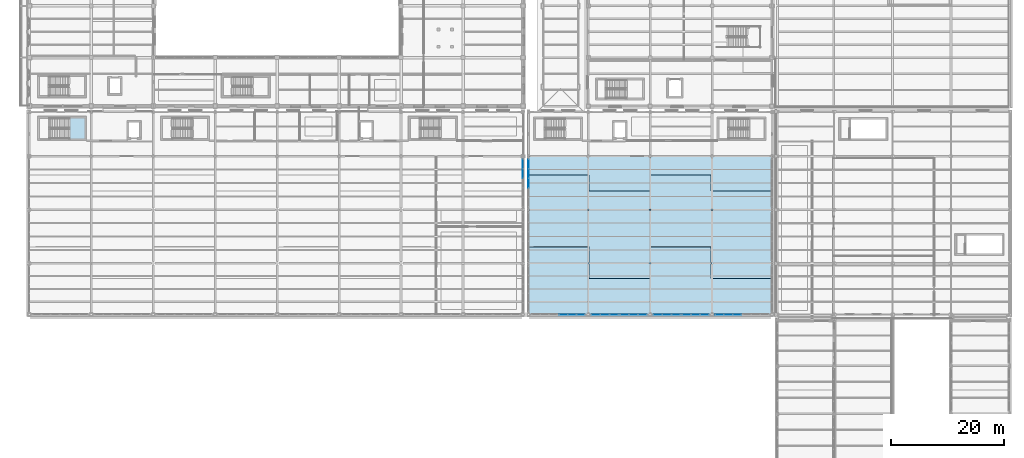
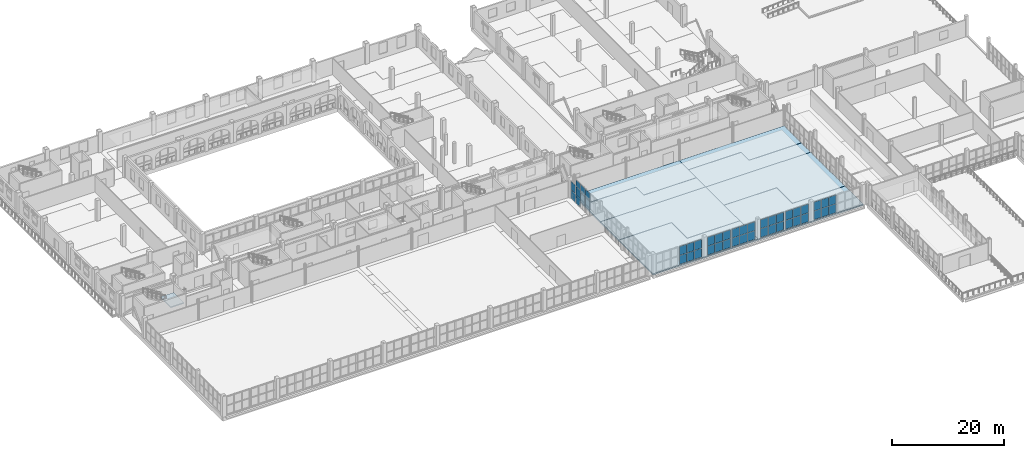
# One storey, part 104 of 156: 46 plates, 9 slabs, 9 elements without a shape of their own.
"""IFC4 building model written with IfcOpenShell, lengths in metres."""

from ifc_helpers import new_model, si_unit, direction, frame, origin, origin_2d, place, context, subcontext, project, spatial, polyline, rectangle, outline, extrude, material, layer, layer_set, type_object, element, aggregate, save


model = new_model("IFC4")

# Units and contexts
model_context = context("Model", 3, precision=1e-05, world=origin(), true_north=direction((0.0, 1.0)))
body_context = subcontext(model_context, "Body", "Model", "MODEL_VIEW")
ifc_project = project(units=[si_unit("LENGTHUNIT", "METRE"), si_unit("AREAUNIT", "SQUARE_METRE"), si_unit("VOLUMEUNIT", "CUBIC_METRE"), si_unit("PLANEANGLEUNIT", "RADIAN"), si_unit("MASSUNIT", "GRAM", prefix="KILO")], contexts=[model_context])

# Site, building, storey
site_placement = place(None, origin())
site = spatial("IfcSite", under=ifc_project, at=site_placement, CompositionType="ELEMENT")
building_placement = place(site_placement, origin())
building = spatial("IfcBuilding", under=site, at=building_placement, Name="Caurita Quay Ferry Terminal", CompositionType="ELEMENT")
storey_placement = place(building_placement, frame((0.0, 0.0, 5.39990234375)))
storey = spatial("IfcBuildingStorey", under=building, at=storey_placement, Name="L01", CompositionType="ELEMENT", Elevation=5.39990234375)

# Curtain wall, plates
ifc_material_1 = material(Name="Laminated solar-control insulated glass", Category="glass")
curtain_wall_type_1 = type_object("IfcCurtainWallType", Name="CW-SYS-09", PredefinedType="NOTDEFINED", material=ifc_material_1)
curtain_wall_1_placement = place(storey_placement, origin())
curtain_wall_1 = element("IfcCurtainWall", 1, at=curtain_wall_1_placement, inside=storey, type_object=curtain_wall_type_1, Name="V2 Waterside Concourse Curtain Wall 066", PredefinedType="NOTDEFINED")
ifc_layer_1 = layer(ifc_material_1, 0.028076171875, Name="Laminated low-e hurricane-rated glazing unit 28 mm")
ifc_layer_set_1 = layer_set([ifc_layer_1], Name="Laminated solar-control insulated glass")
plate_type = type_object("IfcPlateType", Name="CW-PNL-28", PredefinedType="CURTAIN_PANEL", material=ifc_layer_set_1)
plate_1_placement = place(storey_placement, frame((94.798583984375, 34.60009765625, 0.06298828125), z_axis=(0.0, 0.0, 1.0), x_axis=(1.0, 0.0, 0.0)))
plate_1 = element("IfcPlate", 2, at=plate_1_placement, type_object=plate_type, Name="CW-SEA-066 Glazing Panel 1", PredefinedType="CURTAIN_PANEL", context=body_context, shape_type="SweptSolid", body=[
    extrude(rectangle(XDim=1.451416015625, YDim=0.028076171875, at=origin_2d()), origin(), (0.0, 0.0, 1.0), 1.8916015625),
])
plate_2_placement = place(storey_placement, frame((94.798583984375, 34.60009765625, 2.015625), z_axis=(0.0, 0.0, 1.0), x_axis=(1.0, 0.0, 0.0)))
plate_2 = element("IfcPlate", 3, at=plate_2_placement, type_object=plate_type, Name="CW-SEA-066 Glazing Panel 2", PredefinedType="CURTAIN_PANEL", context=body_context, shape_type="SweptSolid", body=[
    extrude(rectangle(XDim=1.451416015625, YDim=0.028076171875, at=origin_2d()), origin(), (0.0, 0.0, 1.0), 1.8916015625),
])
plate_3_placement = place(storey_placement, frame((96.340087890625, 34.60009765625, 0.06298828125), z_axis=(0.0, 0.0, 1.0), x_axis=(1.0, 0.0, 0.0)))
plate_3 = element("IfcPlate", 4, at=plate_3_placement, type_object=plate_type, Name="CW-SEA-066 Glazing Panel 3", PredefinedType="CURTAIN_PANEL", context=body_context, shape_type="SweptSolid", body=[
    extrude(rectangle(XDim=1.489013671875, YDim=0.028076171875, at=origin_2d()), origin(), (0.0, 0.0, 1.0), 1.8916015625),
])
plate_4_placement = place(storey_placement, frame((96.340087890625, 34.60009765625, 2.015625), z_axis=(0.0, 0.0, 1.0), x_axis=(1.0, 0.0, 0.0)))
plate_4 = element("IfcPlate", 5, at=plate_4_placement, type_object=plate_type, Name="CW-SEA-066 Glazing Panel 4", PredefinedType="CURTAIN_PANEL", context=body_context, shape_type="SweptSolid", body=[
    extrude(rectangle(XDim=1.489013671875, YDim=0.028076171875, at=origin_2d()), origin(), (0.0, 0.0, 1.0), 1.8916015625),
])
plate_5_placement = place(storey_placement, frame((97.88134765625, 34.60009765625, 0.06298828125), z_axis=(0.0, 0.0, 1.0), x_axis=(1.0, 0.0, 0.0)))
plate_5 = element("IfcPlate", 6, at=plate_5_placement, type_object=plate_type, Name="CW-SEA-066 Glazing Panel 5", PredefinedType="CURTAIN_PANEL", context=body_context, shape_type="SweptSolid", body=[
    extrude(rectangle(XDim=1.451416015625, YDim=0.028076171875, at=origin_2d()), origin(), (0.0, 0.0, 1.0), 1.8916015625),
])
plate_6_placement = place(storey_placement, frame((97.88134765625, 34.60009765625, 2.015625), z_axis=(0.0, 0.0, 1.0), x_axis=(1.0, 0.0, 0.0)))
plate_6 = element("IfcPlate", 7, at=plate_6_placement, type_object=plate_type, Name="CW-SEA-066 Glazing Panel 6", PredefinedType="CURTAIN_PANEL", context=body_context, shape_type="SweptSolid", body=[
    extrude(rectangle(XDim=1.451416015625, YDim=0.028076171875, at=origin_2d()), origin(), (0.0, 0.0, 1.0), 1.8916015625),
])
aggregate(curtain_wall_1, [plate_1, plate_2, plate_3, plate_4, plate_5, plate_6])

curtain_wall_type_2 = type_object("IfcCurtainWallType", Name="CW-SYS-08", PredefinedType="NOTDEFINED", material=ifc_material_1)
curtain_wall_2_placement = place(storey_placement, origin())
curtain_wall_2 = element("IfcCurtainWall", 8, at=curtain_wall_2_placement, inside=storey, type_object=curtain_wall_type_2, Name="V2 Waterside Concourse Curtain Wall 067", PredefinedType="NOTDEFINED")
plate_7_placement = place(storey_placement, frame((100.552001953125, 34.60009765625, 0.06298828125), z_axis=(0.0, 0.0, 1.0), x_axis=(1.0, 0.0, 0.0)))
plate_7 = element("IfcPlate", 9, at=plate_7_placement, type_object=plate_type, Name="CW-SEA-067 Glazing Panel 1", PredefinedType="CURTAIN_PANEL", context=body_context, shape_type="SweptSolid", body=[
    extrude(rectangle(XDim=1.518310546875, YDim=0.028076171875, at=origin_2d()), origin(), (0.0, 0.0, 1.0), 1.8916015625),
])
plate_8_placement = place(storey_placement, frame((100.552001953125, 34.60009765625, 2.015625), z_axis=(0.0, 0.0, 1.0), x_axis=(1.0, 0.0, 0.0)))
plate_8 = element("IfcPlate", 10, at=plate_8_placement, type_object=plate_type, Name="CW-SEA-067 Glazing Panel 2", PredefinedType="CURTAIN_PANEL", context=body_context, shape_type="SweptSolid", body=[
    extrude(rectangle(XDim=1.518310546875, YDim=0.028076171875, at=origin_2d()), origin(), (0.0, 0.0, 1.0), 1.8916015625),
])
plate_9_placement = place(storey_placement, frame((102.159912109375, 34.60009765625, 0.06298828125), z_axis=(0.0, 0.0, 1.0), x_axis=(1.0, 0.0, 0.0)))
plate_9 = element("IfcPlate", 11, at=plate_9_placement, type_object=plate_type, Name="CW-SEA-067 Glazing Panel 3", PredefinedType="CURTAIN_PANEL", context=body_context, shape_type="SweptSolid", body=[
    extrude(rectangle(XDim=1.5556640625, YDim=0.028076171875, at=origin_2d()), origin(), (0.0, 0.0, 1.0), 1.8916015625),
])
plate_10_placement = place(storey_placement, frame((102.159912109375, 34.60009765625, 2.015625), z_axis=(0.0, 0.0, 1.0), x_axis=(1.0, 0.0, 0.0)))
plate_10 = element("IfcPlate", 12, at=plate_10_placement, type_object=plate_type, Name="CW-SEA-067 Glazing Panel 4", PredefinedType="CURTAIN_PANEL", context=body_context, shape_type="SweptSolid", body=[
    extrude(rectangle(XDim=1.5556640625, YDim=0.028076171875, at=origin_2d()), origin(), (0.0, 0.0, 1.0), 1.8916015625),
])
plate_11_placement = place(storey_placement, frame((103.767822265625, 34.60009765625, 0.06298828125), z_axis=(0.0, 0.0, 1.0), x_axis=(1.0, 0.0, 0.0)))
plate_11 = element("IfcPlate", 13, at=plate_11_placement, type_object=plate_type, Name="CW-SEA-067 Glazing Panel 5", PredefinedType="CURTAIN_PANEL", context=body_context, shape_type="SweptSolid", body=[
    extrude(rectangle(XDim=1.518310546875, YDim=0.028076171875, at=origin_2d()), origin(), (0.0, 0.0, 1.0), 1.8916015625),
])
plate_12_placement = place(storey_placement, frame((103.767822265625, 34.60009765625, 2.015625), z_axis=(0.0, 0.0, 1.0), x_axis=(1.0, 0.0, 0.0)))
plate_12 = element("IfcPlate", 14, at=plate_12_placement, type_object=plate_type, Name="CW-SEA-067 Glazing Panel 6", PredefinedType="CURTAIN_PANEL", context=body_context, shape_type="SweptSolid", body=[
    extrude(rectangle(XDim=1.518310546875, YDim=0.028076171875, at=origin_2d()), origin(), (0.0, 0.0, 1.0), 1.8916015625),
])
aggregate(curtain_wall_2, [plate_7, plate_8, plate_9, plate_10, plate_11, plate_12])

curtain_wall_3_placement = place(storey_placement, origin())
curtain_wall_3 = element("IfcCurtainWall", 15, at=curtain_wall_3_placement, inside=storey, type_object=curtain_wall_type_2, Name="V2 Waterside Concourse Curtain Wall 068", PredefinedType="NOTDEFINED")
plate_13_placement = place(storey_placement, frame((105.632080078125, 34.60009765625, 0.06298828125), z_axis=(0.0, 0.0, 1.0), x_axis=(1.0, 0.0, 0.0)))
plate_13 = element("IfcPlate", 16, at=plate_13_placement, type_object=plate_type, Name="CW-SEA-068 Glazing Panel 1", PredefinedType="CURTAIN_PANEL", context=body_context, shape_type="SweptSolid", body=[
    extrude(rectangle(XDim=1.518310546875, YDim=0.028076171875, at=origin_2d()), origin(), (0.0, 0.0, 1.0), 1.8916015625),
])
plate_14_placement = place(storey_placement, frame((105.632080078125, 34.60009765625, 2.015625), z_axis=(0.0, 0.0, 1.0), x_axis=(1.0, 0.0, 0.0)))
plate_14 = element("IfcPlate", 17, at=plate_14_placement, type_object=plate_type, Name="CW-SEA-068 Glazing Panel 2", PredefinedType="CURTAIN_PANEL", context=body_context, shape_type="SweptSolid", body=[
    extrude(rectangle(XDim=1.518310546875, YDim=0.028076171875, at=origin_2d()), origin(), (0.0, 0.0, 1.0), 1.8916015625),
])
plate_15_placement = place(storey_placement, frame((107.239990234375, 34.60009765625, 0.06298828125), z_axis=(0.0, 0.0, 1.0), x_axis=(1.0, 0.0, 0.0)))
plate_15 = element("IfcPlate", 18, at=plate_15_placement, type_object=plate_type, Name="CW-SEA-068 Glazing Panel 3", PredefinedType="CURTAIN_PANEL", context=body_context, shape_type="SweptSolid", body=[
    extrude(rectangle(XDim=1.5556640625, YDim=0.028076171875, at=origin_2d()), origin(), (0.0, 0.0, 1.0), 1.8916015625),
])
plate_16_placement = place(storey_placement, frame((107.239990234375, 34.60009765625, 2.015625), z_axis=(0.0, 0.0, 1.0), x_axis=(1.0, 0.0, 0.0)))
plate_16 = element("IfcPlate", 19, at=plate_16_placement, type_object=plate_type, Name="CW-SEA-068 Glazing Panel 4", PredefinedType="CURTAIN_PANEL", context=body_context, shape_type="SweptSolid", body=[
    extrude(rectangle(XDim=1.5556640625, YDim=0.028076171875, at=origin_2d()), origin(), (0.0, 0.0, 1.0), 1.8916015625),
])
plate_17_placement = place(storey_placement, frame((108.847900390625, 34.60009765625, 0.06298828125), z_axis=(0.0, 0.0, 1.0), x_axis=(1.0, 0.0, 0.0)))
plate_17 = element("IfcPlate", 20, at=plate_17_placement, type_object=plate_type, Name="CW-SEA-068 Glazing Panel 5", PredefinedType="CURTAIN_PANEL", context=body_context, shape_type="SweptSolid", body=[
    extrude(rectangle(XDim=1.518310546875, YDim=0.028076171875, at=origin_2d()), origin(), (0.0, 0.0, 1.0), 1.8916015625),
])
plate_18_placement = place(storey_placement, frame((108.847900390625, 34.60009765625, 2.015625), z_axis=(0.0, 0.0, 1.0), x_axis=(1.0, 0.0, 0.0)))
plate_18 = element("IfcPlate", 21, at=plate_18_placement, type_object=plate_type, Name="CW-SEA-068 Glazing Panel 6", PredefinedType="CURTAIN_PANEL", context=body_context, shape_type="SweptSolid", body=[
    extrude(rectangle(XDim=1.518310546875, YDim=0.028076171875, at=origin_2d()), origin(), (0.0, 0.0, 1.0), 1.8916015625),
])
aggregate(curtain_wall_3, [plate_13, plate_14, plate_15, plate_16, plate_17, plate_18])

curtain_wall_4_placement = place(storey_placement, origin())
curtain_wall_4 = element("IfcCurtainWall", 22, at=curtain_wall_4_placement, inside=storey, type_object=curtain_wall_type_2, Name="V2 Waterside Concourse Curtain Wall 069", PredefinedType="NOTDEFINED")
plate_19_placement = place(storey_placement, frame((111.552001953125, 34.60009765625, 0.06298828125), z_axis=(0.0, 0.0, 1.0), x_axis=(1.0, 0.0, 0.0)))
plate_19 = element("IfcPlate", 23, at=plate_19_placement, type_object=plate_type, Name="CW-SEA-069 Glazing Panel 1", PredefinedType="CURTAIN_PANEL", context=body_context, shape_type="SweptSolid", body=[
    extrude(rectangle(XDim=1.518310546875, YDim=0.028076171875, at=origin_2d()), origin(), (0.0, 0.0, 1.0), 1.8916015625),
])
plate_20_placement = place(storey_placement, frame((111.552001953125, 34.60009765625, 2.015625), z_axis=(0.0, 0.0, 1.0), x_axis=(1.0, 0.0, 0.0)))
plate_20 = element("IfcPlate", 24, at=plate_20_placement, type_object=plate_type, Name="CW-SEA-069 Glazing Panel 2", PredefinedType="CURTAIN_PANEL", context=body_context, shape_type="SweptSolid", body=[
    extrude(rectangle(XDim=1.518310546875, YDim=0.028076171875, at=origin_2d()), origin(), (0.0, 0.0, 1.0), 1.8916015625),
])
plate_21_placement = place(storey_placement, frame((113.159912109375, 34.60009765625, 0.06298828125), z_axis=(0.0, 0.0, 1.0), x_axis=(1.0, 0.0, 0.0)))
plate_21 = element("IfcPlate", 25, at=plate_21_placement, type_object=plate_type, Name="CW-SEA-069 Glazing Panel 3", PredefinedType="CURTAIN_PANEL", context=body_context, shape_type="SweptSolid", body=[
    extrude(rectangle(XDim=1.5556640625, YDim=0.028076171875, at=origin_2d()), origin(), (0.0, 0.0, 1.0), 1.8916015625),
])
plate_22_placement = place(storey_placement, frame((113.159912109375, 34.60009765625, 2.015625), z_axis=(0.0, 0.0, 1.0), x_axis=(1.0, 0.0, 0.0)))
plate_22 = element("IfcPlate", 26, at=plate_22_placement, type_object=plate_type, Name="CW-SEA-069 Glazing Panel 4", PredefinedType="CURTAIN_PANEL", context=body_context, shape_type="SweptSolid", body=[
    extrude(rectangle(XDim=1.5556640625, YDim=0.028076171875, at=origin_2d()), origin(), (0.0, 0.0, 1.0), 1.8916015625),
])
plate_23_placement = place(storey_placement, frame((114.767822265625, 34.60009765625, 0.06298828125), z_axis=(0.0, 0.0, 1.0), x_axis=(1.0, 0.0, 0.0)))
plate_23 = element("IfcPlate", 27, at=plate_23_placement, type_object=plate_type, Name="CW-SEA-069 Glazing Panel 5", PredefinedType="CURTAIN_PANEL", context=body_context, shape_type="SweptSolid", body=[
    extrude(rectangle(XDim=1.518310546875, YDim=0.028076171875, at=origin_2d()), origin(), (0.0, 0.0, 1.0), 1.8916015625),
])
plate_24_placement = place(storey_placement, frame((114.767822265625, 34.60009765625, 2.015625), z_axis=(0.0, 0.0, 1.0), x_axis=(1.0, 0.0, 0.0)))
plate_24 = element("IfcPlate", 28, at=plate_24_placement, type_object=plate_type, Name="CW-SEA-069 Glazing Panel 6", PredefinedType="CURTAIN_PANEL", context=body_context, shape_type="SweptSolid", body=[
    extrude(rectangle(XDim=1.518310546875, YDim=0.028076171875, at=origin_2d()), origin(), (0.0, 0.0, 1.0), 1.8916015625),
])
aggregate(curtain_wall_4, [plate_19, plate_20, plate_21, plate_22, plate_23, plate_24])

curtain_wall_5_placement = place(storey_placement, origin())
curtain_wall_5 = element("IfcCurtainWall", 29, at=curtain_wall_5_placement, inside=storey, type_object=curtain_wall_type_2, Name="V2 Waterside Concourse Curtain Wall 070", PredefinedType="NOTDEFINED")
plate_25_placement = place(storey_placement, frame((116.632080078125, 34.60009765625, 0.06298828125), z_axis=(0.0, 0.0, 1.0), x_axis=(1.0, 0.0, 0.0)))
plate_25 = element("IfcPlate", 30, at=plate_25_placement, type_object=plate_type, Name="CW-SEA-070 Glazing Panel 1", PredefinedType="CURTAIN_PANEL", context=body_context, shape_type="SweptSolid", body=[
    extrude(rectangle(XDim=1.518310546875, YDim=0.028076171875, at=origin_2d()), origin(), (0.0, 0.0, 1.0), 1.8916015625),
])
plate_26_placement = place(storey_placement, frame((116.632080078125, 34.60009765625, 2.015625), z_axis=(0.0, 0.0, 1.0), x_axis=(1.0, 0.0, 0.0)))
plate_26 = element("IfcPlate", 31, at=plate_26_placement, type_object=plate_type, Name="CW-SEA-070 Glazing Panel 2", PredefinedType="CURTAIN_PANEL", context=body_context, shape_type="SweptSolid", body=[
    extrude(rectangle(XDim=1.518310546875, YDim=0.028076171875, at=origin_2d()), origin(), (0.0, 0.0, 1.0), 1.8916015625),
])
plate_27_placement = place(storey_placement, frame((118.239990234375, 34.60009765625, 0.06298828125), z_axis=(0.0, 0.0, 1.0), x_axis=(1.0, 0.0, 0.0)))
plate_27 = element("IfcPlate", 32, at=plate_27_placement, type_object=plate_type, Name="CW-SEA-070 Glazing Panel 3", PredefinedType="CURTAIN_PANEL", context=body_context, shape_type="SweptSolid", body=[
    extrude(rectangle(XDim=1.5556640625, YDim=0.028076171875, at=origin_2d()), origin(), (0.0, 0.0, 1.0), 1.8916015625),
])
plate_28_placement = place(storey_placement, frame((118.239990234375, 34.60009765625, 2.015625), z_axis=(0.0, 0.0, 1.0), x_axis=(1.0, 0.0, 0.0)))
plate_28 = element("IfcPlate", 33, at=plate_28_placement, type_object=plate_type, Name="CW-SEA-070 Glazing Panel 4", PredefinedType="CURTAIN_PANEL", context=body_context, shape_type="SweptSolid", body=[
    extrude(rectangle(XDim=1.5556640625, YDim=0.028076171875, at=origin_2d()), origin(), (0.0, 0.0, 1.0), 1.8916015625),
])
plate_29_placement = place(storey_placement, frame((119.847900390625, 34.60009765625, 0.06298828125), z_axis=(0.0, 0.0, 1.0), x_axis=(1.0, 0.0, 0.0)))
plate_29 = element("IfcPlate", 34, at=plate_29_placement, type_object=plate_type, Name="CW-SEA-070 Glazing Panel 5", PredefinedType="CURTAIN_PANEL", context=body_context, shape_type="SweptSolid", body=[
    extrude(rectangle(XDim=1.518310546875, YDim=0.028076171875, at=origin_2d()), origin(), (0.0, 0.0, 1.0), 1.8916015625),
])
plate_30_placement = place(storey_placement, frame((119.847900390625, 34.60009765625, 2.015625), z_axis=(0.0, 0.0, 1.0), x_axis=(1.0, 0.0, 0.0)))
plate_30 = element("IfcPlate", 35, at=plate_30_placement, type_object=plate_type, Name="CW-SEA-070 Glazing Panel 6", PredefinedType="CURTAIN_PANEL", context=body_context, shape_type="SweptSolid", body=[
    extrude(rectangle(XDim=1.518310546875, YDim=0.028076171875, at=origin_2d()), origin(), (0.0, 0.0, 1.0), 1.8916015625),
])
aggregate(curtain_wall_5, [plate_25, plate_26, plate_27, plate_28, plate_29, plate_30])

curtain_wall_6_placement = place(storey_placement, origin())
curtain_wall_6 = element("IfcCurtainWall", 36, at=curtain_wall_6_placement, inside=storey, type_object=curtain_wall_type_1, Name="V2 Waterside Concourse Curtain Wall 071", PredefinedType="NOTDEFINED")
plate_31_placement = place(storey_placement, frame((122.518798828125, 34.60009765625, 0.06298828125), z_axis=(0.0, 0.0, 1.0), x_axis=(1.0, 0.0, 0.0)))
plate_31 = element("IfcPlate", 37, at=plate_31_placement, type_object=plate_type, Name="CW-SEA-071 Glazing Panel 1", PredefinedType="CURTAIN_PANEL", context=body_context, shape_type="SweptSolid", body=[
    extrude(rectangle(XDim=1.451416015625, YDim=0.028076171875, at=origin_2d()), origin(), (0.0, 0.0, 1.0), 1.8916015625),
])
plate_32_placement = place(storey_placement, frame((122.518798828125, 34.60009765625, 2.015625), z_axis=(0.0, 0.0, 1.0), x_axis=(1.0, 0.0, 0.0)))
plate_32 = element("IfcPlate", 38, at=plate_32_placement, type_object=plate_type, Name="CW-SEA-071 Glazing Panel 2", PredefinedType="CURTAIN_PANEL", context=body_context, shape_type="SweptSolid", body=[
    extrude(rectangle(XDim=1.451416015625, YDim=0.028076171875, at=origin_2d()), origin(), (0.0, 0.0, 1.0), 1.8916015625),
])
plate_33_placement = place(storey_placement, frame((124.06005859375, 34.60009765625, 0.06298828125), z_axis=(0.0, 0.0, 1.0), x_axis=(1.0, 0.0, 0.0)))
plate_33 = element("IfcPlate", 39, at=plate_33_placement, type_object=plate_type, Name="CW-SEA-071 Glazing Panel 3", PredefinedType="CURTAIN_PANEL", context=body_context, shape_type="SweptSolid", body=[
    extrude(rectangle(XDim=1.489013671875, YDim=0.028076171875, at=origin_2d()), origin(), (0.0, 0.0, 1.0), 1.8916015625),
])
plate_34_placement = place(storey_placement, frame((124.06005859375, 34.60009765625, 2.015625), z_axis=(0.0, 0.0, 1.0), x_axis=(1.0, 0.0, 0.0)))
plate_34 = element("IfcPlate", 40, at=plate_34_placement, type_object=plate_type, Name="CW-SEA-071 Glazing Panel 4", PredefinedType="CURTAIN_PANEL", context=body_context, shape_type="SweptSolid", body=[
    extrude(rectangle(XDim=1.489013671875, YDim=0.028076171875, at=origin_2d()), origin(), (0.0, 0.0, 1.0), 1.8916015625),
])
plate_35_placement = place(storey_placement, frame((125.601318359375, 34.60009765625, 0.06298828125), z_axis=(0.0, 0.0, 1.0), x_axis=(1.0, 0.0, 0.0)))
plate_35 = element("IfcPlate", 41, at=plate_35_placement, type_object=plate_type, Name="CW-SEA-071 Glazing Panel 5", PredefinedType="CURTAIN_PANEL", context=body_context, shape_type="SweptSolid", body=[
    extrude(rectangle(XDim=1.451416015625, YDim=0.028076171875, at=origin_2d()), origin(), (0.0, 0.0, 1.0), 1.8916015625),
])
plate_36_placement = place(storey_placement, frame((125.601318359375, 34.60009765625, 2.015625), z_axis=(0.0, 0.0, 1.0), x_axis=(1.0, 0.0, 0.0)))
plate_36 = element("IfcPlate", 42, at=plate_36_placement, type_object=plate_type, Name="CW-SEA-071 Glazing Panel 6", PredefinedType="CURTAIN_PANEL", context=body_context, shape_type="SweptSolid", body=[
    extrude(rectangle(XDim=1.451416015625, YDim=0.028076171875, at=origin_2d()), origin(), (0.0, 0.0, 1.0), 1.8916015625),
])
aggregate(curtain_wall_6, [plate_31, plate_32, plate_33, plate_34, plate_35, plate_36])

curtain_wall_type_3 = type_object("IfcCurtainWallType", Name="CW-SYS-12", PredefinedType="NOTDEFINED", material=ifc_material_1)
curtain_wall_7_placement = place(storey_placement, origin())
curtain_wall_7 = element("IfcCurtainWall", 43, at=curtain_wall_7_placement, inside=storey, type_object=curtain_wall_type_3, Name="Concourse Gable Curtain Wall 082", PredefinedType="NOTDEFINED")
plate_37_placement = place(storey_placement, frame((87.60009765625, 59.64208984375, 0.05810546875), z_axis=(0.0, 0.0, 1.0), x_axis=(0.0, 1.0, 0.0)))
plate_37 = element("IfcPlate", 44, at=plate_37_placement, type_object=plate_type, Name="CW-GBL-082 Glazing Panel 7", PredefinedType="CURTAIN_PANEL", context=body_context, shape_type="SweptSolid", body=[
    extrude(rectangle(XDim=1.631103515625, YDim=0.028076171875, at=origin_2d()), origin(), (0.0, 0.0, 1.0), 1.81396484375),
])
plate_38_placement = place(storey_placement, frame((87.60009765625, 59.64208984375, 1.92822265625), z_axis=(0.0, 0.0, 1.0), x_axis=(0.0, 1.0, 0.0)))
plate_38 = element("IfcPlate", 45, at=plate_38_placement, type_object=plate_type, Name="CW-GBL-082 Glazing Panel 8", PredefinedType="CURTAIN_PANEL", context=body_context, shape_type="SweptSolid", body=[
    extrude(rectangle(XDim=1.631103515625, YDim=0.028076171875, at=origin_2d()), origin(), (0.0, 0.0, 1.0), 1.81396484375),
])
plate_39_placement = place(storey_placement, frame((87.60009765625, 61.317626953125, 0.05810546875), z_axis=(0.0, 0.0, 1.0), x_axis=(0.0, 1.0, 0.0)))
plate_39 = element("IfcPlate", 46, at=plate_39_placement, type_object=plate_type, Name="CW-GBL-082 Glazing Panel 9", PredefinedType="CURTAIN_PANEL", context=body_context, shape_type="SweptSolid", body=[
    extrude(rectangle(XDim=1.598388671875, YDim=0.028076171875, at=origin_2d()), origin(), (0.0, 0.0, 1.0), 1.81396484375),
])
plate_40_placement = place(storey_placement, frame((87.60009765625, 61.317626953125, 1.92822265625), z_axis=(0.0, 0.0, 1.0), x_axis=(0.0, 1.0, 0.0)))
plate_40 = element("IfcPlate", 47, at=plate_40_placement, type_object=plate_type, Name="CW-GBL-082 Glazing Panel 10", PredefinedType="CURTAIN_PANEL", context=body_context, shape_type="SweptSolid", body=[
    extrude(rectangle(XDim=1.598388671875, YDim=0.028076171875, at=origin_2d()), origin(), (0.0, 0.0, 1.0), 1.81396484375),
])
aggregate(curtain_wall_7, [plate_37, plate_38, plate_39, plate_40])

curtain_wall_8_placement = place(storey_placement, origin())
curtain_wall_8 = element("IfcCurtainWall", 48, at=curtain_wall_8_placement, inside=storey, type_object=curtain_wall_type_3, Name="Concourse Gable Curtain Wall 085", PredefinedType="NOTDEFINED")
plate_41_placement = place(storey_placement, frame((88.60009765625, 57.949951171875, 0.05810546875), z_axis=(0.0, 0.0, 1.0), x_axis=(0.0, 1.0, 0.0)))
plate_41 = element("IfcPlate", 49, at=plate_41_placement, type_object=plate_type, Name="CW-GBL-085 Glazing Panel 5", PredefinedType="CURTAIN_PANEL", context=body_context, shape_type="SweptSolid", body=[
    extrude(rectangle(XDim=1.631103515625, YDim=0.028076171875, at=origin_2d()), origin(), (0.0, 0.0, 1.0), 1.81396484375),
])
plate_42_placement = place(storey_placement, frame((88.60009765625, 57.949951171875, 1.92822265625), z_axis=(0.0, 0.0, 1.0), x_axis=(0.0, 1.0, 0.0)))
plate_42 = element("IfcPlate", 50, at=plate_42_placement, type_object=plate_type, Name="CW-GBL-085 Glazing Panel 6", PredefinedType="CURTAIN_PANEL", context=body_context, shape_type="SweptSolid", body=[
    extrude(rectangle(XDim=1.631103515625, YDim=0.028076171875, at=origin_2d()), origin(), (0.0, 0.0, 1.0), 1.81396484375),
])
plate_43_placement = place(storey_placement, frame((88.60009765625, 59.64208984375, 0.05810546875), z_axis=(0.0, 0.0, 1.0), x_axis=(0.0, 1.0, 0.0)))
plate_43 = element("IfcPlate", 51, at=plate_43_placement, type_object=plate_type, Name="CW-GBL-085 Glazing Panel 7", PredefinedType="CURTAIN_PANEL", context=body_context, shape_type="SweptSolid", body=[
    extrude(rectangle(XDim=1.631103515625, YDim=0.028076171875, at=origin_2d()), origin(), (0.0, 0.0, 1.0), 1.81396484375),
])
plate_44_placement = place(storey_placement, frame((88.60009765625, 59.64208984375, 1.92822265625), z_axis=(0.0, 0.0, 1.0), x_axis=(0.0, 1.0, 0.0)))
plate_44 = element("IfcPlate", 52, at=plate_44_placement, type_object=plate_type, Name="CW-GBL-085 Glazing Panel 8", PredefinedType="CURTAIN_PANEL", context=body_context, shape_type="SweptSolid", body=[
    extrude(rectangle(XDim=1.631103515625, YDim=0.028076171875, at=origin_2d()), origin(), (0.0, 0.0, 1.0), 1.81396484375),
])
plate_45_placement = place(storey_placement, frame((88.60009765625, 61.317626953125, 0.05810546875), z_axis=(0.0, 0.0, 1.0), x_axis=(0.0, 1.0, 0.0)))
plate_45 = element("IfcPlate", 53, at=plate_45_placement, type_object=plate_type, Name="CW-GBL-085 Glazing Panel 9", PredefinedType="CURTAIN_PANEL", context=body_context, shape_type="SweptSolid", body=[
    extrude(rectangle(XDim=1.598388671875, YDim=0.028076171875, at=origin_2d()), origin(), (0.0, 0.0, 1.0), 1.81396484375),
])
plate_46_placement = place(storey_placement, frame((88.60009765625, 61.317626953125, 1.92822265625), z_axis=(0.0, 0.0, 1.0), x_axis=(0.0, 1.0, 0.0)))
plate_46 = element("IfcPlate", 54, at=plate_46_placement, type_object=plate_type, Name="CW-GBL-085 Glazing Panel 10", PredefinedType="CURTAIN_PANEL", context=body_context, shape_type="SweptSolid", body=[
    extrude(rectangle(XDim=1.598388671875, YDim=0.028076171875, at=origin_2d()), origin(), (0.0, 0.0, 1.0), 1.81396484375),
])
aggregate(curtain_wall_8, [plate_41, plate_42, plate_43, plate_44, plate_45, plate_46])

# Slabs
ifc_material_2 = material(Name="Reinforced concrete C35/45", Category="concrete")
ifc_layer_2 = layer(ifc_material_2, 0.300048828125, Name="Reinforced concrete floor slab 300 mm")
ifc_layer_set_2 = layer_set([ifc_layer_2], Name="Reinforced concrete C35/45")
slab_type_1 = type_object("IfcSlabType", Name="SLB-CONC-300", PredefinedType="FLOOR", material=ifc_layer_set_2)
slab_1_placement = place(storey_placement, frame((0.0, 0.0, -0.2998046875)))
element("IfcSlab", 55, at=slab_1_placement, inside=storey, type_object=slab_type_1, Name="L01 V2-FLR Slab 01A", PredefinedType="FLOOR", context=body_context, shape_type="SweptSolid", body=[
    extrude(outline(polyline([(88.5, 34.449951171875), (110.199951171875, 34.449951171875), (110.199951171875, 40.99755859375), (99.3349609375, 40.99755859375), (99.3349609375, 46.62255859375), (88.5, 46.62255859375), (88.5, 34.449951171875)])), origin(), (0.0, 0.0, 1.0), 0.2998046875),
])
slab_2_placement = place(storey_placement, frame((0.0, 0.0, -0.2998046875)))
element("IfcSlab", 56, at=slab_2_placement, inside=storey, type_object=slab_type_1, Name="L01 V2-FLR Slab 01B", PredefinedType="FLOOR", context=body_context, shape_type="SweptSolid", body=[
    extrude(outline(polyline([(99.364990234375, 41.027587890625), (110.199951171875, 41.027587890625), (110.199951171875, 53.199951171875), (88.5, 53.199951171875), (88.5, 46.652587890625), (99.364990234375, 46.652587890625), (99.364990234375, 41.027587890625)])), origin(), (0.0, 0.0, 1.0), 0.2998046875),
])
slab_3_placement = place(storey_placement, frame((0.0, 0.0, -0.2998046875)))
element("IfcSlab", 57, at=slab_3_placement, inside=storey, type_object=slab_type_1, Name="L01 V2-FLR Slab 02A", PredefinedType="FLOOR", context=body_context, shape_type="SweptSolid", body=[
    extrude(outline(polyline([(88.5, 53.199951171875), (110.199951171875, 53.199951171875), (110.199951171875, 56.510009765625), (99.3349609375, 56.510009765625), (99.3349609375, 59.360107421875), (88.5, 59.360107421875), (88.5, 53.199951171875)])), origin(), (0.0, 0.0, 1.0), 0.2998046875),
])
slab_4_placement = place(storey_placement, frame((0.0, 0.0, -0.2998046875)))
element("IfcSlab", 58, at=slab_4_placement, inside=storey, type_object=slab_type_1, Name="L01 V2-FLR Slab 02B", PredefinedType="FLOOR", context=body_context, shape_type="SweptSolid", body=[
    extrude(outline(polyline([(99.364990234375, 56.5400390625), (110.199951171875, 56.5400390625), (110.199951171875, 62.699951171875), (88.5, 62.699951171875), (88.5, 59.389892578125), (99.364990234375, 59.389892578125), (99.364990234375, 56.5400390625)])), origin(), (0.0, 0.0, 1.0), 0.2998046875),
])
slab_5_placement = place(storey_placement, frame((0.0, 0.0, -0.2998046875)))
element("IfcSlab", 59, at=slab_5_placement, inside=storey, type_object=slab_type_1, Name="L01 V2-FLR Slab 04A", PredefinedType="FLOOR", context=body_context, shape_type="SweptSolid", body=[
    extrude(outline(polyline([(110.199951171875, 34.449951171875), (131.89990234375, 34.449951171875), (131.89990234375, 40.99755859375), (121.034912109375, 40.99755859375), (121.034912109375, 46.62255859375), (110.199951171875, 46.62255859375), (110.199951171875, 34.449951171875)])), origin(), (0.0, 0.0, 1.0), 0.2998046875),
])
slab_6_placement = place(storey_placement, frame((0.0, 0.0, -0.2998046875)))
element("IfcSlab", 60, at=slab_6_placement, inside=storey, type_object=slab_type_1, Name="L01 V2-FLR Slab 04B", PredefinedType="FLOOR", context=body_context, shape_type="SweptSolid", body=[
    extrude(outline(polyline([(121.06494140625, 41.027587890625), (131.89990234375, 41.027587890625), (131.89990234375, 53.199951171875), (110.199951171875, 53.199951171875), (110.199951171875, 46.652587890625), (121.06494140625, 46.652587890625), (121.06494140625, 41.027587890625)])), origin(), (0.0, 0.0, 1.0), 0.2998046875),
])
slab_7_placement = place(storey_placement, frame((0.0, 0.0, -0.2998046875)))
element("IfcSlab", 61, at=slab_7_placement, inside=storey, type_object=slab_type_1, Name="L01 V2-FLR Slab 05A", PredefinedType="FLOOR", context=body_context, shape_type="SweptSolid", body=[
    extrude(outline(polyline([(110.199951171875, 53.199951171875), (131.89990234375, 53.199951171875), (131.89990234375, 56.510009765625), (121.034912109375, 56.510009765625), (121.034912109375, 59.360107421875), (110.199951171875, 59.360107421875), (110.199951171875, 53.199951171875)])), origin(), (0.0, 0.0, 1.0), 0.2998046875),
])
slab_8_placement = place(storey_placement, frame((0.0, 0.0, -0.2998046875)))
element("IfcSlab", 62, at=slab_8_placement, inside=storey, type_object=slab_type_1, Name="L01 V2-FLR Slab 05B", PredefinedType="FLOOR", context=body_context, shape_type="SweptSolid", body=[
    extrude(outline(polyline([(121.06494140625, 56.5400390625), (131.89990234375, 56.5400390625), (131.89990234375, 62.699951171875), (110.199951171875, 62.699951171875), (110.199951171875, 59.389892578125), (121.06494140625, 59.389892578125), (121.06494140625, 56.5400390625)])), origin(), (0.0, 0.0, 1.0), 0.2998046875),
])

# Stair, slab
stair_type = type_object("IfcStairType", Name="STR-DL-08", PredefinedType="HALF_TURN_STAIR", material=ifc_material_2)
stair_placement = place(storey_placement, origin())
stair = element("IfcStair", 63, at=stair_placement, inside=storey, type_object=stair_type, Name="L01 Protected Exit Stair ST-05", PredefinedType="HALF_TURN_STAIR")
ifc_layer_3 = layer(ifc_material_2, 0.199951171875, Name="Reinforced concrete landing slab 200 mm")
ifc_layer_set_3 = layer_set([ifc_layer_3], Name="Reinforced concrete C35/45")
slab_type_2 = type_object("IfcSlabType", Name="SLB-LND-200", PredefinedType="LANDING", material=ifc_layer_set_3)
slab_9_placement = place(storey_placement, frame((0.0, 0.0, 2.050048828125)))
slab_9 = element("IfcSlab", 64, at=slab_9_placement, type_object=slab_type_2, Name="ST-05 landing 1", PredefinedType="LANDING", context=body_context, shape_type="SweptSolid", body=[
    extrude(outline(polyline([(7.14990234375, 65.800048828125), (9.85009765625, 65.800048828125), (9.85009765625, 69.4599609375), (7.14990234375, 69.4599609375), (7.14990234375, 65.800048828125)])), origin(), (0.0, 0.0, 1.0), 0.199951171875),
])
aggregate(stair, [slab_9])

save(model, "model.ifc")
